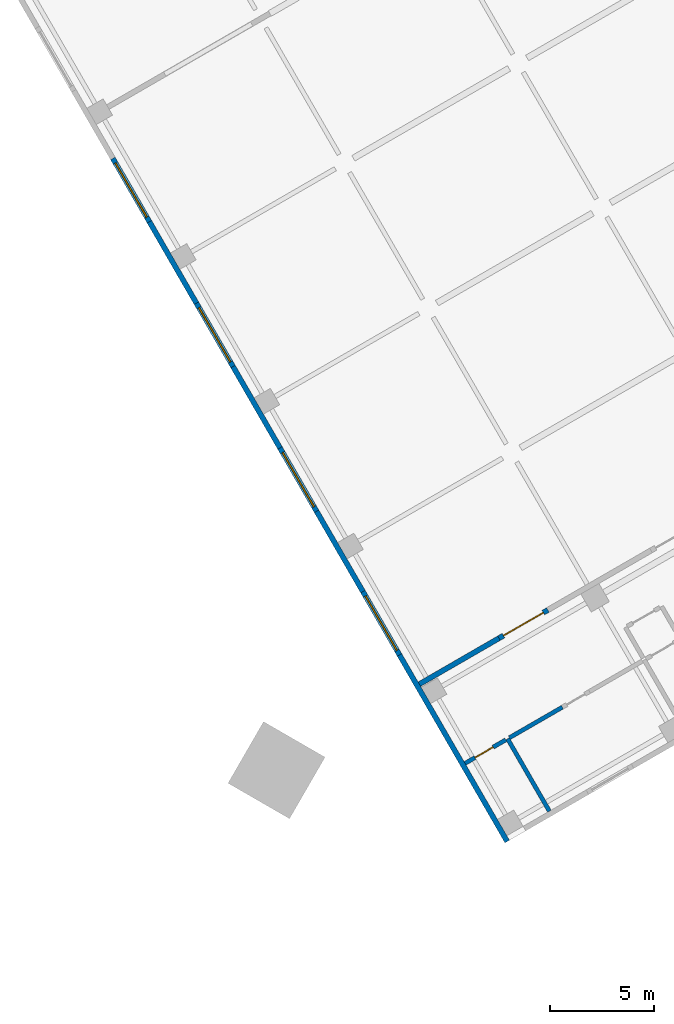
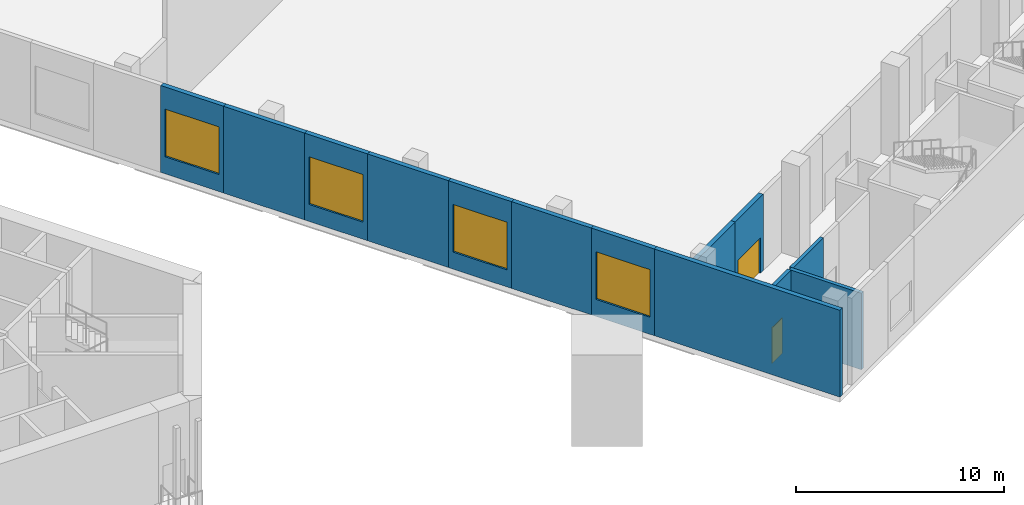
# One storey, part 15 of 35: 13 walls, 4 windows, 2 doors, 6 openings.
"""IFC4 building model written with IfcOpenShell, lengths in metres."""

from ifc_helpers import new_model, si_unit, direction, frame, frame_2d, origin, place, context, subcontext, project, spatial, rectangle, extrude, material, layer, layer_set, type_object, element, fill, save


model = new_model("IFC4")

# Units and contexts
model_context = context("Model", 3, precision=1e-05, world=origin(), true_north=direction((0.0, 1.0)))
body_context = subcontext(model_context, "Body", "Model", "MODEL_VIEW")
ifc_project = project(units=[si_unit("LENGTHUNIT", "METRE"), si_unit("AREAUNIT", "SQUARE_METRE"), si_unit("VOLUMEUNIT", "CUBIC_METRE"), si_unit("PLANEANGLEUNIT", "RADIAN"), si_unit("MASSUNIT", "GRAM", prefix="KILO")], contexts=[model_context])

# Site, building, storey
site_placement = place(None, origin())
site = spatial("IfcSite", under=ifc_project, at=site_placement, CompositionType="ELEMENT")
building_placement = place(site_placement, origin())
building = spatial("IfcBuilding", under=site, at=building_placement, Name="Mestral Congress Tower", CompositionType="ELEMENT")
storey_placement = place(building_placement, frame((0.0, 0.0, 6.0)))
storey = spatial("IfcBuildingStorey", under=building, at=storey_placement, Name="L01", CompositionType="ELEMENT", Elevation=6.0)

# Wall
ifc_material_1 = material(Name="Precast concrete C40/50 with limestone facing", Category="masonry")
ifc_layer_1 = layer(ifc_material_1, 0.25)
ifc_layer_set_1 = layer_set([ifc_layer_1], Name="Precast concrete C40/50 with limestone facing")
wall_type_1 = type_object("IfcWallType", Name="Podium external wall 250", PredefinedType="SOLIDWALL", material=ifc_layer_set_1)
wall_1_placement = place(storey_placement, frame((42.5625, -21.614501953125, 0.0), z_axis=(0.0, 0.0, 1.0), x_axis=(-0.500001855621, 0.866024332438, 0.0)))
element("IfcWall", 1, at=wall_1_placement, inside=storey, type_object=wall_type_1, Name="L01 external wall", PredefinedType="SOLIDWALL", context=body_context, shape_type="SweptSolid", body=[
    extrude(rectangle(XDim=10.31201171875, YDim=0.25, at=frame_2d((5.156005859375, 0.0))), origin(), (0.0, 0.0, 1.0), 5.10009765625),
])

# Wall, opening, window
wall_2_placement = place(storey_placement, frame((37.406494140625, -12.68408203125, 0.0), z_axis=(0.0, 0.0, 1.0), x_axis=(-0.500010275428, 0.866019471182, 0.0)))
wall_2 = element("IfcWall", 2, at=wall_2_placement, inside=storey, type_object=wall_type_1, Name="L01 external wall", PredefinedType="SOLIDWALL", context=body_context, shape_type="SweptSolid", body=[
    extrude(rectangle(XDim=3.5, YDim=0.25, at=frame_2d((1.75, 0.0))), origin(), (0.0, 0.0, 1.0), 5.10009765625),
])
opening_1_placement = place(wall_2_placement, frame((0.25, 0.0, 1.0)))
opening_1 = element("IfcOpeningElement", 3, at=opening_1_placement, cuts=wall_2, Name="Opening PW-3000x2800", PredefinedType="OPENING", context=body_context, shape_type="SweptSolid", body=[
    extrude(rectangle(XDim=3.0, YDim=2.800048828125, at=frame_2d((1.5, 1.39990234375))), frame((0.0, 0.135009765625, 0.0), z_axis=(0.0, -1.0, 0.0), x_axis=(1.0, 0.0, 0.0)), (0.0, 0.0, 1.0), 0.27001953125),
])
ifc_material_2 = material(Name="Aluminium frame, clear double glazing", Category="aluminium")
window_type = type_object("IfcWindowType", Name="Podium window 3000x2800 sill 1000", PartitioningType="SINGLE_PANEL", PredefinedType="WINDOW", material=ifc_material_2)
window_1_placement = place(opening_1_placement, origin())
window_1 = element("IfcWindow", 4, at=window_1_placement, inside=storey, type_object=window_type, Name="Window", OverallHeight=2.800048828125, OverallWidth=3.0, PartitioningType="SINGLE_PANEL", PredefinedType="WINDOW", context=body_context, shape_type="SweptSolid", body=[
    extrude(rectangle(XDim=3.0, YDim=2.800048828125, at=frame_2d((1.5, 1.39990234375))), frame((0.0, 0.030029296875, 0.0), z_axis=(0.0, -1.0, 0.0), x_axis=(1.0, 0.0, 0.0)), (0.0, 0.0, 1.0), 0.06005859375),
])
fill(opening_1, window_1)

# Wall
wall_3_placement = place(storey_placement, frame((35.656494140625, -9.653076171875, 0.0), z_axis=(0.0, 0.0, 1.0), x_axis=(-0.499990705068, 0.866030770149, 0.0)))
element("IfcWall", 5, at=wall_3_placement, inside=storey, type_object=wall_type_1, Name="L01 external wall", PredefinedType="SOLIDWALL", context=body_context, shape_type="SweptSolid", body=[
    extrude(rectangle(XDim=4.43798828125, YDim=0.25, at=frame_2d((2.218994140625, 0.0))), origin(), (0.0, 0.0, 1.0), 5.10009765625),
])

# Wall, opening, window
wall_4_placement = place(storey_placement, frame((33.4375, -5.8095703125, 0.0), z_axis=(0.0, 0.0, 1.0), x_axis=(-0.499980071345, 0.866036909293, 0.0)))
wall_4 = element("IfcWall", 6, at=wall_4_placement, inside=storey, type_object=wall_type_1, Name="L01 external wall", PredefinedType="SOLIDWALL", context=body_context, shape_type="SweptSolid", body=[
    extrude(rectangle(XDim=3.500244140625, YDim=0.25, at=frame_2d((1.75, 0.0))), origin(), (0.0, 0.0, 1.0), 5.10009765625),
])
opening_2_placement = place(wall_4_placement, frame((0.25, 0.0, 1.0)))
opening_2 = element("IfcOpeningElement", 7, at=opening_2_placement, cuts=wall_4, Name="Opening PW-3000x2800", PredefinedType="OPENING", context=body_context, shape_type="SweptSolid", body=[
    extrude(rectangle(XDim=3.0, YDim=2.800048828125, at=frame_2d((1.5, 1.39990234375))), frame((0.0, 0.135009765625, 0.0), z_axis=(0.0, -1.0, 0.0), x_axis=(1.0, 0.0, 0.0)), (0.0, 0.0, 1.0), 0.27001953125),
])
window_2_placement = place(opening_2_placement, origin())
window_2 = element("IfcWindow", 8, at=window_2_placement, inside=storey, type_object=window_type, Name="Window", OverallHeight=2.800048828125, OverallWidth=3.0, PartitioningType="SINGLE_PANEL", PredefinedType="WINDOW", context=body_context, shape_type="SweptSolid", body=[
    extrude(rectangle(XDim=3.0, YDim=2.800048828125, at=frame_2d((1.5, 1.39990234375))), frame((0.0, 0.030029296875, 0.0), z_axis=(0.0, -1.0, 0.0), x_axis=(1.0, 0.0, 0.0)), (0.0, 0.0, 1.0), 0.06005859375),
])
fill(opening_2, window_2)

# Wall
wall_5_placement = place(storey_placement, frame((31.6875, -2.7783203125, 0.0), z_axis=(0.0, 0.0, 1.0), x_axis=(-0.500013631625, 0.866017533419, 0.0)))
element("IfcWall", 9, at=wall_5_placement, inside=storey, type_object=wall_type_1, Name="L01 external wall", PredefinedType="SOLIDWALL", context=body_context, shape_type="SweptSolid", body=[
    extrude(rectangle(XDim=4.499755859375, YDim=0.25, at=frame_2d((2.25, 0.0))), origin(), (0.0, 0.0, 1.0), 5.10009765625),
])

# Wall, opening, window
wall_6_placement = place(storey_placement, frame((29.4375, 1.11865234375, 0.0), z_axis=(0.0, 0.0, 1.0), x_axis=(-0.499980071345, 0.866036909293, 0.0)))
wall_6 = element("IfcWall", 10, at=wall_6_placement, inside=storey, type_object=wall_type_1, Name="L01 external wall", PredefinedType="SOLIDWALL", context=body_context, shape_type="SweptSolid", body=[
    extrude(rectangle(XDim=3.500244140625, YDim=0.25, at=frame_2d((1.75, 0.0))), origin(), (0.0, 0.0, 1.0), 5.10009765625),
])
opening_3_placement = place(wall_6_placement, frame((0.25, 0.0, 1.0)))
opening_3 = element("IfcOpeningElement", 11, at=opening_3_placement, cuts=wall_6, Name="Opening PW-3000x2800", PredefinedType="OPENING", context=body_context, shape_type="SweptSolid", body=[
    extrude(rectangle(XDim=3.0, YDim=2.800048828125, at=frame_2d((1.5, 1.39990234375))), frame((0.0, 0.135009765625, 0.0), z_axis=(0.0, -1.0, 0.0), x_axis=(1.0, 0.0, 0.0)), (0.0, 0.0, 1.0), 0.27001953125),
])
window_3_placement = place(opening_3_placement, origin())
window_3 = element("IfcWindow", 12, at=window_3_placement, inside=storey, type_object=window_type, Name="Window", OverallHeight=2.800048828125, OverallWidth=3.0, PartitioningType="SINGLE_PANEL", PredefinedType="WINDOW", context=body_context, shape_type="SweptSolid", body=[
    extrude(rectangle(XDim=3.0, YDim=2.800048828125, at=frame_2d((1.5, 1.39990234375))), frame((0.0, 0.030029296875, 0.0), z_axis=(0.0, -1.0, 0.0), x_axis=(1.0, 0.0, 0.0)), (0.0, 0.0, 1.0), 0.06005859375),
])
fill(opening_3, window_3)

# Wall
wall_7_placement = place(storey_placement, frame((27.6875, 4.14990234375, 0.0), z_axis=(0.0, 0.0, 1.0), x_axis=(-0.500013631625, 0.866017533419, 0.0)))
element("IfcWall", 13, at=wall_7_placement, inside=storey, type_object=wall_type_1, Name="L01 external wall", PredefinedType="SOLIDWALL", context=body_context, shape_type="SweptSolid", body=[
    extrude(rectangle(XDim=4.499755859375, YDim=0.25, at=frame_2d((2.25, 0.0))), origin(), (0.0, 0.0, 1.0), 5.10009765625),
])

# Wall, opening, window
wall_8_placement = place(storey_placement, frame((25.4375, 8.046875, 0.0), z_axis=(0.0, 0.0, 1.0), x_axis=(-0.500010275428, 0.866019471182, 0.0)))
wall_8 = element("IfcWall", 14, at=wall_8_placement, inside=storey, type_object=wall_type_1, Name="L01 external wall", PredefinedType="SOLIDWALL", context=body_context, shape_type="SweptSolid", body=[
    extrude(rectangle(XDim=3.5, YDim=0.25, at=frame_2d((1.75, 0.0))), origin(), (0.0, 0.0, 1.0), 5.10009765625),
])
opening_4_placement = place(wall_8_placement, frame((0.25, 0.0, 1.0)))
opening_4 = element("IfcOpeningElement", 15, at=opening_4_placement, cuts=wall_8, Name="Opening PW-3000x2800", PredefinedType="OPENING", context=body_context, shape_type="SweptSolid", body=[
    extrude(rectangle(XDim=3.0, YDim=2.800048828125, at=frame_2d((1.5, 1.39990234375))), frame((0.0, 0.135009765625, 0.0), z_axis=(0.0, -1.0, 0.0), x_axis=(1.0, 0.0, 0.0)), (0.0, 0.0, 1.0), 0.27001953125),
])
window_4_placement = place(opening_4_placement, origin())
window_4 = element("IfcWindow", 16, at=window_4_placement, inside=storey, type_object=window_type, Name="Window", OverallHeight=2.800048828125, OverallWidth=3.0, PartitioningType="SINGLE_PANEL", PredefinedType="WINDOW", context=body_context, shape_type="SweptSolid", body=[
    extrude(rectangle(XDim=3.0, YDim=2.800048828125, at=frame_2d((1.5, 1.39990234375))), frame((0.0, 0.030029296875, 0.0), z_axis=(0.0, -1.0, 0.0), x_axis=(1.0, 0.0, 0.0)), (0.0, 0.0, 1.0), 0.06005859375),
])
fill(opening_4, window_4)

# Wall
ifc_material_3 = material(Name="Masonry block wall", Category="masonry")
ifc_layer_2 = layer(ifc_material_3, 0.25)
ifc_layer_set_2 = layer_set([ifc_layer_2], Name="Masonry block wall")
wall_type_2 = type_object("IfcWallType", Name="Podium hall wall 250 EI 180", PredefinedType="SOLIDWALL", material=ifc_layer_set_2)
wall_9_placement = place(storey_placement, frame((38.3583984375, -14.08251953125, 0.0), z_axis=(0.0, 0.0, 1.0), x_axis=(0.866018331238, 0.50001224981, 0.0)))
element("IfcWall", 17, at=wall_9_placement, inside=storey, type_object=wall_type_2, Name="L01 partition", PredefinedType="SOLIDWALL", context=body_context, shape_type="SweptSolid", body=[
    extrude(rectangle(XDim=4.39990234375, YDim=0.25, at=frame_2d((2.199951171875, 0.0))), origin(), (0.0, 0.0, 1.0), 4.5),
])

# Wall, opening, door
wall_10_placement = place(storey_placement, frame((44.507080078125, -10.532470703125, 0.0), z_axis=(0.0, 0.0, 1.0), x_axis=(-0.866019956843, -0.50000943426, 0.0)))
wall_10 = element("IfcWall", 18, at=wall_10_placement, inside=storey, type_object=wall_type_2, Name="L01 partition", PredefinedType="SOLIDWALL", context=body_context, shape_type="SweptSolid", body=[
    extrude(rectangle(XDim=2.7001953125, YDim=0.25, at=frame_2d((1.35009765625, 0.0))), origin(), (0.0, 0.0, 1.0), 4.5),
])
opening_5_placement = place(wall_10_placement, frame((0.25, 0.0, 0.0)))
opening_5 = element("IfcOpeningElement", 19, at=opening_5_placement, cuts=wall_10, Name="Opening P01-017", PredefinedType="OPENING", context=body_context, shape_type="SweptSolid", body=[
    extrude(rectangle(XDim=2.199951171875, YDim=2.10009765625, at=frame_2d((1.10009765625, 1.050048828125))), frame((0.0, 0.135009765625, 0.0), z_axis=(0.0, -1.0, 0.0), x_axis=(1.0, 0.0, 0.0)), (0.0, 0.0, 1.0), 0.27001953125),
])
ifc_material_4 = material(Name="Fire-rated steel door set", Category="steel")
door_type_1 = type_object("IfcDoorType", Name="Podium hall door 2200x2100 EI2 90-C5", OperationType="DOUBLE_DOOR_SINGLE_SWING", PredefinedType="DOOR", material=ifc_material_4)
door_1_placement = place(opening_5_placement, origin())
door_1 = element("IfcDoor", 20, at=door_1_placement, inside=storey, type_object=door_type_1, Name="Door P01-017", OperationType="DOUBLE_DOOR_SINGLE_SWING", OverallHeight=2.10009765625, OverallWidth=2.199951171875, PredefinedType="DOOR", context=body_context, shape_type="SweptSolid", body=[
    extrude(rectangle(XDim=2.199951171875, YDim=2.10009765625, at=frame_2d((1.10009765625, 1.050048828125))), frame((0.0, 0.02490234375, 0.0), z_axis=(0.0, -1.0, 0.0), x_axis=(1.0, 0.0, 0.0)), (0.0, 0.0, 1.0), 0.050048828125),
])
fill(opening_5, door_1)

# Wall
ifc_material_5 = material(Name="Fire-rated board partition")
ifc_layer_3 = layer(ifc_material_5, 0.199951171875)
ifc_layer_set_3 = layer_set([ifc_layer_3], Name="Fire-rated board partition")
wall_type_3 = type_object("IfcWallType", Name="Podium vestibule wall 200 EI 120", PredefinedType="PARTITIONING", material=ifc_layer_set_3)
wall_11_placement = place(storey_placement, frame((44.5810546875, -20.160400390625, 0.0), z_axis=(0.0, 0.0, 1.0), x_axis=(-0.49999894854, 0.866026010844, 0.0)))
element("IfcWall", 21, at=wall_11_placement, inside=storey, type_object=wall_type_3, Name="L01 partition", PredefinedType="PARTITIONING", context=body_context, shape_type="SweptSolid", body=[
    extrude(rectangle(XDim=4.0, YDim=0.199951171875, at=frame_2d((2.0, 0.0))), origin(), (0.0, 0.0, 1.0), 4.5),
])

# Wall, opening, door
wall_12_placement = place(storey_placement, frame((42.494384765625, -16.746337890625, 0.0), z_axis=(0.0, 0.0, 1.0), x_axis=(-0.866017533419, -0.500013631625, 0.0)))
wall_12 = element("IfcWall", 22, at=wall_12_placement, inside=storey, type_object=wall_type_3, Name="L01 partition", PredefinedType="PARTITIONING", context=body_context, shape_type="SweptSolid", body=[
    extrude(rectangle(XDim=2.25, YDim=0.199951171875, at=frame_2d((1.125, 0.0))), origin(), (0.0, 0.0, 1.0), 4.5),
])
opening_6_placement = place(wall_12_placement, frame((0.699951171875, 0.0, 0.0)))
opening_6 = element("IfcOpeningElement", 23, at=opening_6_placement, cuts=wall_12, Name="Opening P01-027", PredefinedType="OPENING", context=body_context, shape_type="SweptSolid", body=[
    extrude(rectangle(XDim=1.0, YDim=2.10009765625, at=frame_2d((0.5, 1.050048828125))), frame((0.0, 0.10986328125, 0.0), z_axis=(0.0, -1.0, 0.0), x_axis=(1.0, 0.0, 0.0)), (0.0, 0.0, 1.0), 0.219970703125),
])
door_type_2 = type_object("IfcDoorType", Name="Podium room door 1000x2100 EI2 30-C5", OperationType="SINGLE_SWING_LEFT", PredefinedType="DOOR", material=ifc_material_4)
door_2_placement = place(opening_6_placement, origin())
door_2 = element("IfcDoor", 24, at=door_2_placement, inside=storey, type_object=door_type_2, Name="Door P01-027", OperationType="SINGLE_SWING_LEFT", OverallHeight=2.10009765625, OverallWidth=1.0, PredefinedType="DOOR", context=body_context, shape_type="SweptSolid", body=[
    extrude(rectangle(XDim=1.0, YDim=2.10009765625, at=frame_2d((0.5, 1.050048828125))), frame((0.0, 0.02490234375, 0.0), z_axis=(0.0, -1.0, 0.0), x_axis=(1.0, 0.0, 0.0)), (0.0, 0.0, 1.0), 0.050048828125),
])
fill(opening_6, door_2)

# Wall
wall_13_placement = place(storey_placement, frame((42.66748046875, -16.646484375, 0.0), z_axis=(0.0, 0.0, 1.0), x_axis=(0.86601045545, 0.500025890382, 0.0)))
element("IfcWall", 25, at=wall_13_placement, inside=storey, type_object=wall_type_3, Name="L01 partition", PredefinedType="PARTITIONING", context=body_context, shape_type="SweptSolid", body=[
    extrude(rectangle(XDim=2.925048828125, YDim=0.199951171875, at=frame_2d((1.46240234375, 0.0))), origin(), (0.0, 0.0, 1.0), 4.5),
])

save(model, "model.ifc")
